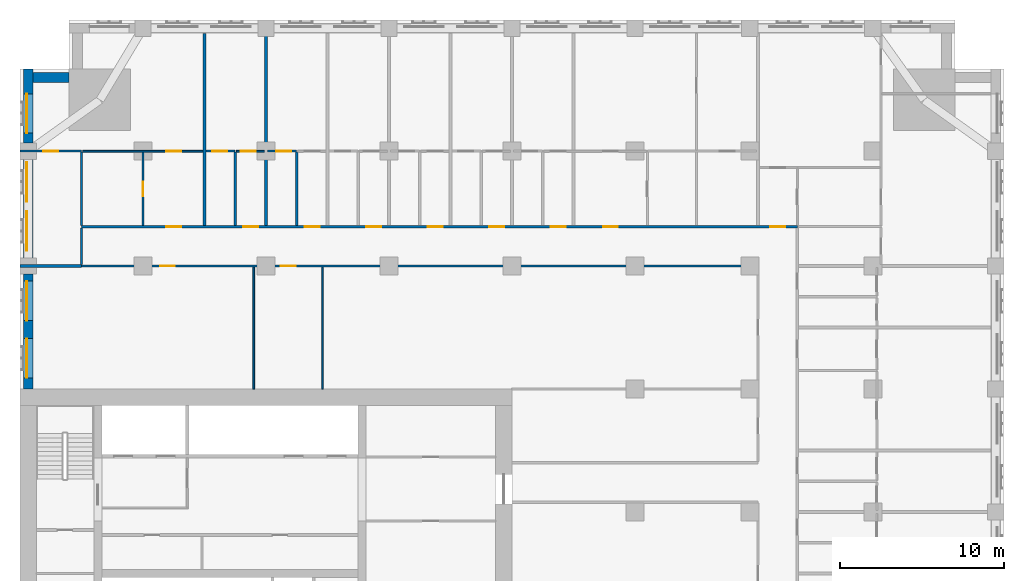
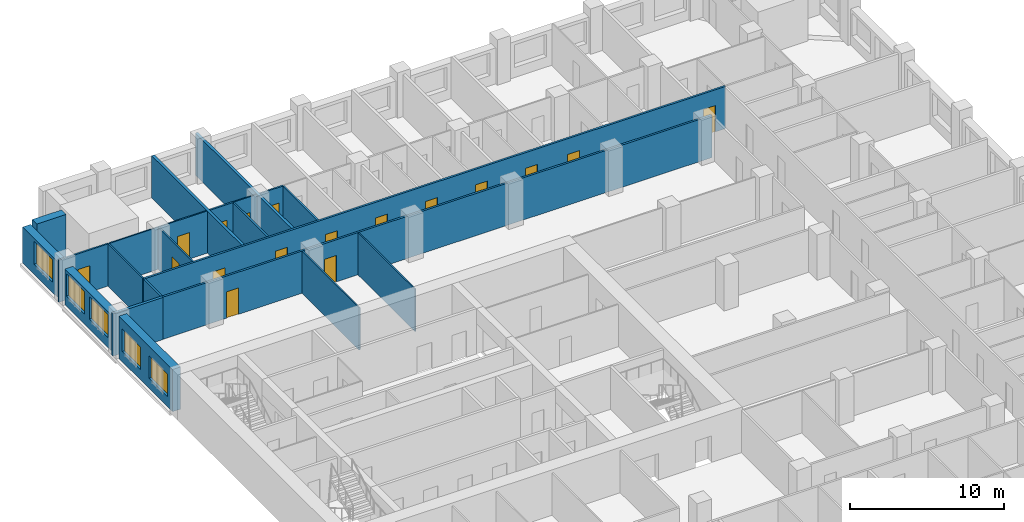
# One storey, part 9 of 15: 21 walls, 17 doors, 5 windows, 22 openings.
"""IFC4 building model written with IfcOpenShell, lengths in metres."""

from ifc_helpers import new_model, si_unit, direction, frame, frame_2d, origin, place, context, subcontext, project, spatial, rectangle, extrude, material, layer, layer_set, type_object, element, fill, save


model = new_model("IFC4")

# Units and contexts
model_context = context("Model", 3, precision=1e-05, world=origin(), true_north=direction((0.0, 1.0)))
body_context = subcontext(model_context, "Body", "Model", "MODEL_VIEW")
ifc_project = project(units=[si_unit("LENGTHUNIT", "METRE"), si_unit("AREAUNIT", "SQUARE_METRE"), si_unit("VOLUMEUNIT", "CUBIC_METRE"), si_unit("PLANEANGLEUNIT", "RADIAN"), si_unit("MASSUNIT", "GRAM", prefix="KILO")], contexts=[model_context])

# Site, building, storey
site_placement = place(None, origin())
site = spatial("IfcSite", under=ifc_project, at=site_placement, CompositionType="ELEMENT")
building_placement = place(site_placement, origin())
building = spatial("IfcBuilding", under=site, at=building_placement, Name="Tamorin Gate", CompositionType="ELEMENT")
storey_placement = place(building_placement, frame((0.0, 0.0, 82.699951171875)))
storey = spatial("IfcBuildingStorey", under=building, at=storey_placement, Name="L19", CompositionType="ELEMENT", Elevation=82.699951171875)

# Wall
ifc_material_1 = material(Name="Precast concrete C40/50", Category="concrete")
ifc_layer_1 = layer(ifc_material_1, 0.60009765625)
ifc_layer_set_1 = layer_set([ifc_layer_1], Name="Precast concrete C40/50")
wall_type_1 = type_object("IfcWallType", Name="Board-marked concrete facade panel 600", PredefinedType="SOLIDWALL", material=ifc_layer_set_1)
wall_1_placement = place(storey_placement, frame((33.0, 101.5, 0.0), z_axis=(0.0, 0.0, 1.0), x_axis=(-1.0, 0.0, 0.0)))
element("IfcWall", 1, at=wall_1_placement, inside=storey, type_object=wall_type_1, Name="Facade panel", PredefinedType="SOLIDWALL", context=body_context, shape_type="SweptSolid", body=[
    extrude(rectangle(XDim=2.199951171875, YDim=0.60009765625, at=frame_2d((1.10009765625, 0.0))), origin(), (0.0, 0.0, 1.0), 3.35009765625),
])

# Wall, opening, window
wall_2_placement = place(storey_placement, frame((30.5, 102.0, 0.0), z_axis=(0.0, 0.0, 1.0), x_axis=(0.0, -1.0, 0.0)))
wall_2 = element("IfcWall", 2, at=wall_2_placement, inside=storey, type_object=wall_type_1, Name="Facade panel", PredefinedType="SOLIDWALL", context=body_context, shape_type="SweptSolid", body=[
    extrude(rectangle(XDim=4.5, YDim=0.60009765625, at=frame_2d((2.25, 0.0))), origin(), (0.0, 0.0, 1.0), 2.85009765625),
])
opening_1_placement = place(wall_2_placement, frame((1.5, 0.0, 0.800048828125)))
opening_1 = element("IfcOpeningElement", 3, at=opening_1_placement, cuts=wall_2, Name="Opening WN1", PredefinedType="OPENING", context=body_context, shape_type="SweptSolid", body=[
    extrude(rectangle(XDim=2.39990234375, YDim=1.800048828125, at=frame_2d((1.199951171875, 0.89990234375))), frame((0.0, 0.31005859375, 0.0), z_axis=(0.0, -1.0, 0.0), x_axis=(1.0, 0.0, 0.0)), (0.0, 0.0, 1.0), 0.6201171875),
])
ifc_material_2 = material(Name="Clear glass in aluminium frame", Category="aluminium")
window_type = type_object("IfcWindowType", Name="Deep-set window 2400x1800", PartitioningType="SINGLE_PANEL", PredefinedType="WINDOW", material=ifc_material_2)
window_1_placement = place(opening_1_placement, origin())
window_1 = element("IfcWindow", 4, at=window_1_placement, inside=storey, type_object=window_type, Name="Deep-set window", OverallHeight=1.800048828125, OverallWidth=2.39990234375, PartitioningType="SINGLE_PANEL", PredefinedType="WINDOW", context=body_context, shape_type="SweptSolid", body=[
    extrude(rectangle(XDim=2.39990234375, YDim=1.800048828125, at=frame_2d((1.199951171875, 0.89990234375))), frame((0.0, -0.070068359375, 0.0), z_axis=(0.0, -1.0, 0.0), x_axis=(1.0, 0.0, 0.0)), (0.0, 0.0, 1.0), 0.06005859375),
])
fill(opening_1, window_1)

# Wall, openings, windows
wall_3_placement = place(storey_placement, frame((30.5, 96.5, 0.0), z_axis=(0.0, 0.0, 1.0), x_axis=(0.0, -1.0, 0.0)))
wall_3 = element("IfcWall", 5, at=wall_3_placement, inside=storey, type_object=wall_type_1, Name="Facade panel", PredefinedType="SOLIDWALL", context=body_context, shape_type="SweptSolid", body=[
    extrude(rectangle(XDim=6.0, YDim=0.60009765625, at=frame_2d((3.0, 0.0))), origin(), (0.0, 0.0, 1.0), 2.85009765625),
])
opening_2_placement = place(wall_3_placement, frame((3.175048828125, 0.0, 0.800048828125)))
opening_2 = element("IfcOpeningElement", 6, at=opening_2_placement, cuts=wall_3, Name="Opening WN1", PredefinedType="OPENING", context=body_context, shape_type="SweptSolid", body=[
    extrude(rectangle(XDim=2.39990234375, YDim=1.800048828125, at=frame_2d((1.199951171875, 0.89990234375))), frame((0.0, 0.31005859375, 0.0), z_axis=(0.0, -1.0, 0.0), x_axis=(1.0, 0.0, 0.0)), (0.0, 0.0, 1.0), 0.6201171875),
])
opening_3_placement = place(wall_3_placement, frame((0.175048828125, 0.0, 0.800048828125)))
opening_3 = element("IfcOpeningElement", 7, at=opening_3_placement, cuts=wall_3, Name="Opening WN1", PredefinedType="OPENING", context=body_context, shape_type="SweptSolid", body=[
    extrude(rectangle(XDim=2.39990234375, YDim=1.800048828125, at=frame_2d((1.199951171875, 0.89990234375))), frame((0.0, 0.31005859375, 0.0), z_axis=(0.0, -1.0, 0.0), x_axis=(1.0, 0.0, 0.0)), (0.0, 0.0, 1.0), 0.6201171875),
])
window_2_placement = place(opening_2_placement, origin())
window_2 = element("IfcWindow", 8, at=window_2_placement, inside=storey, type_object=window_type, Name="Deep-set window", OverallHeight=1.800048828125, OverallWidth=2.39990234375, PartitioningType="SINGLE_PANEL", PredefinedType="WINDOW", context=body_context, shape_type="SweptSolid", body=[
    extrude(rectangle(XDim=2.39990234375, YDim=1.800048828125, at=frame_2d((1.199951171875, 0.89990234375))), frame((0.0, -0.070068359375, 0.0), z_axis=(0.0, -1.0, 0.0), x_axis=(1.0, 0.0, 0.0)), (0.0, 0.0, 1.0), 0.06005859375),
])
fill(opening_2, window_2)
window_3_placement = place(opening_3_placement, origin())
window_3 = element("IfcWindow", 9, at=window_3_placement, inside=storey, type_object=window_type, Name="Deep-set window", OverallHeight=1.800048828125, OverallWidth=2.39990234375, PartitioningType="SINGLE_PANEL", PredefinedType="WINDOW", context=body_context, shape_type="SweptSolid", body=[
    extrude(rectangle(XDim=2.39990234375, YDim=1.800048828125, at=frame_2d((1.199951171875, 0.89990234375))), frame((0.0, -0.070068359375, 0.0), z_axis=(0.0, -1.0, 0.0), x_axis=(1.0, 0.0, 0.0)), (0.0, 0.0, 1.0), 0.06005859375),
])
fill(opening_3, window_3)

wall_4_placement = place(storey_placement, frame((30.5, 89.5, 0.0), z_axis=(0.0, 0.0, 1.0), x_axis=(0.0, -1.0, 0.0)))
wall_4 = element("IfcWall", 10, at=wall_4_placement, inside=storey, type_object=wall_type_1, Name="Facade panel", PredefinedType="SOLIDWALL", context=body_context, shape_type="SweptSolid", body=[
    extrude(rectangle(XDim=7.0, YDim=0.60009765625, at=frame_2d((3.5, 0.0))), origin(), (0.0, 0.0, 1.0), 3.35009765625),
])
opening_4_placement = place(wall_4_placement, frame((3.925048828125, 0.0, 0.800048828125)))
opening_4 = element("IfcOpeningElement", 11, at=opening_4_placement, cuts=wall_4, Name="Opening WN1", PredefinedType="OPENING", context=body_context, shape_type="SweptSolid", body=[
    extrude(rectangle(XDim=2.39990234375, YDim=1.800048828125, at=frame_2d((1.199951171875, 0.89990234375))), frame((0.0, 0.31005859375, 0.0), z_axis=(0.0, -1.0, 0.0), x_axis=(1.0, 0.0, 0.0)), (0.0, 0.0, 1.0), 0.6201171875),
])
opening_5_placement = place(wall_4_placement, frame((0.425048828125, 0.0, 0.800048828125)))
opening_5 = element("IfcOpeningElement", 12, at=opening_5_placement, cuts=wall_4, Name="Opening WN1", PredefinedType="OPENING", context=body_context, shape_type="SweptSolid", body=[
    extrude(rectangle(XDim=2.39990234375, YDim=1.800048828125, at=frame_2d((1.199951171875, 0.89990234375))), frame((0.0, 0.31005859375, 0.0), z_axis=(0.0, -1.0, 0.0), x_axis=(1.0, 0.0, 0.0)), (0.0, 0.0, 1.0), 0.6201171875),
])
window_4_placement = place(opening_4_placement, origin())
window_4 = element("IfcWindow", 13, at=window_4_placement, inside=storey, type_object=window_type, Name="Deep-set window", OverallHeight=1.800048828125, OverallWidth=2.39990234375, PartitioningType="SINGLE_PANEL", PredefinedType="WINDOW", context=body_context, shape_type="SweptSolid", body=[
    extrude(rectangle(XDim=2.39990234375, YDim=1.800048828125, at=frame_2d((1.199951171875, 0.89990234375))), frame((0.0, -0.070068359375, 0.0), z_axis=(0.0, -1.0, 0.0), x_axis=(1.0, 0.0, 0.0)), (0.0, 0.0, 1.0), 0.06005859375),
])
fill(opening_4, window_4)
window_5_placement = place(opening_5_placement, origin())
window_5 = element("IfcWindow", 14, at=window_5_placement, inside=storey, type_object=window_type, Name="Deep-set window", OverallHeight=1.800048828125, OverallWidth=2.39990234375, PartitioningType="SINGLE_PANEL", PredefinedType="WINDOW", context=body_context, shape_type="SweptSolid", body=[
    extrude(rectangle(XDim=2.39990234375, YDim=1.800048828125, at=frame_2d((1.199951171875, 0.89990234375))), frame((0.0, -0.070068359375, 0.0), z_axis=(0.0, -1.0, 0.0), x_axis=(1.0, 0.0, 0.0)), (0.0, 0.0, 1.0), 0.06005859375),
])
fill(opening_5, window_5)

# Wall, openings, doors
ifc_material_3 = material(Name="Gypsum board partition")
ifc_layer_2 = layer(ifc_material_3, 0.14990234375)
ifc_layer_set_2 = layer_set([ifc_layer_2], Name="Corridor wall 150")
wall_type_2 = type_object("IfcWallType", Name="Corridor wall 150", PredefinedType="PARTITIONING", material=ifc_layer_set_2)
wall_5_placement = place(storey_placement, frame((33.75, 90.0, 0.0), z_axis=(0.0, 0.0, 1.0), x_axis=(1.0, 0.0, 0.0)))
wall_5 = element("IfcWall", 15, at=wall_5_placement, inside=storey, type_object=wall_type_2, Name="Corridor wall 150", PredefinedType="PARTITIONING", context=body_context, shape_type="SweptSolid", body=[
    extrude(rectangle(XDim=41.25, YDim=0.14990234375, at=frame_2d((20.625, 0.0))), origin(), (0.0, 0.0, 1.0), 3.35009765625),
])
opening_6_placement = place(wall_5_placement, frame((4.800048828125, 0.0, 0.0)))
opening_6 = element("IfcOpeningElement", 16, at=opening_6_placement, cuts=wall_5, Name="Opening DH6092", PredefinedType="OPENING", context=body_context, shape_type="SweptSolid", body=[
    extrude(rectangle(XDim=0.89990234375, YDim=2.10009765625, at=frame_2d((0.449951171875, 1.050048828125))), frame((0.0, 0.0849609375, 0.0), z_axis=(0.0, -1.0, 0.0), x_axis=(1.0, 0.0, 0.0)), (0.0, 0.0, 1.0), 0.169921875),
])
opening_7_placement = place(wall_5_placement, frame((12.14990234375, 0.0, 0.0)))
opening_7 = element("IfcOpeningElement", 17, at=opening_7_placement, cuts=wall_5, Name="Opening DH6093", PredefinedType="OPENING", context=body_context, shape_type="SweptSolid", body=[
    extrude(rectangle(XDim=0.89990234375, YDim=2.10009765625, at=frame_2d((0.449951171875, 1.050048828125))), frame((0.0, 0.0849609375, 0.0), z_axis=(0.0, -1.0, 0.0), x_axis=(1.0, 0.0, 0.0)), (0.0, 0.0, 1.0), 0.169921875),
])
ifc_material_4 = material(Name="Timber door leaf", Category="wood")
door_type_1 = type_object("IfcDoorType", Name="Door 900 x 2100 FD30S", OperationType="NOTDEFINED", PredefinedType="DOOR", material=ifc_material_4)
door_1_placement = place(opening_6_placement, origin())
door_1 = element("IfcDoor", 18, at=door_1_placement, inside=storey, type_object=door_type_1, Name="Door DH6092", OperationType="SINGLE_SWING_RIGHT", OverallHeight=2.10009765625, OverallWidth=0.89990234375, PredefinedType="DOOR", context=body_context, shape_type="SweptSolid", body=[
    extrude(rectangle(XDim=0.89990234375, YDim=2.10009765625, at=frame_2d((0.449951171875, 1.050048828125))), frame((0.0, 0.02490234375, 0.0), z_axis=(0.0, -1.0, 0.0), x_axis=(1.0, 0.0, 0.0)), (0.0, 0.0, 1.0), 0.050048828125),
])
fill(opening_6, door_1)
door_2_placement = place(opening_7_placement, origin())
door_2 = element("IfcDoor", 19, at=door_2_placement, inside=storey, type_object=door_type_1, Name="Door DH6093", OperationType="SINGLE_SWING_LEFT", OverallHeight=2.10009765625, OverallWidth=0.89990234375, PredefinedType="DOOR", context=body_context, shape_type="SweptSolid", body=[
    extrude(rectangle(XDim=0.89990234375, YDim=2.10009765625, at=frame_2d((0.449951171875, 1.050048828125))), frame((0.0, 0.02490234375, 0.0), z_axis=(0.0, -1.0, 0.0), x_axis=(1.0, 0.0, 0.0)), (0.0, 0.0, 1.0), 0.050048828125),
])
fill(opening_7, door_2)

wall_6_placement = place(storey_placement, frame((33.75, 92.39990234375, 0.0), z_axis=(0.0, 0.0, 1.0), x_axis=(1.0, 0.0, 0.0)))
wall_6 = element("IfcWall", 20, at=wall_6_placement, inside=storey, type_object=wall_type_2, Name="Corridor wall 150", PredefinedType="PARTITIONING", context=body_context, shape_type="SweptSolid", body=[
    extrude(rectangle(XDim=43.64990234375, YDim=0.14990234375, at=frame_2d((21.824951171875, 0.0))), origin(), (0.0, 0.0, 1.0), 3.35009765625),
])
opening_8_placement = place(wall_6_placement, frame((5.175048828125, 0.0, 0.0)))
opening_8 = element("IfcOpeningElement", 21, at=opening_8_placement, cuts=wall_6, Name="Opening DH6026", PredefinedType="OPENING", context=body_context, shape_type="SweptSolid", body=[
    extrude(rectangle(XDim=0.89990234375, YDim=2.10009765625, at=frame_2d((0.449951171875, 1.050048828125))), frame((0.0, 0.0849609375, 0.0), z_axis=(0.0, -1.0, 0.0), x_axis=(1.0, 0.0, 0.0)), (0.0, 0.0, 1.0), 0.169921875),
])
opening_9_placement = place(wall_6_placement, frame((9.862548828125, 0.0, 0.0)))
opening_9 = element("IfcOpeningElement", 22, at=opening_9_placement, cuts=wall_6, Name="Opening DH6029", PredefinedType="OPENING", context=body_context, shape_type="SweptSolid", body=[
    extrude(rectangle(XDim=0.89990234375, YDim=2.10009765625, at=frame_2d((0.449951171875, 1.050048828125))), frame((0.0, 0.0849609375, 0.0), z_axis=(0.0, -1.0, 0.0), x_axis=(1.0, 0.0, 0.0)), (0.0, 0.0, 1.0), 0.169921875),
])
opening_10_placement = place(wall_6_placement, frame((13.612548828125, 0.0, 0.0)))
opening_10 = element("IfcOpeningElement", 23, at=opening_10_placement, cuts=wall_6, Name="Opening DH6032", PredefinedType="OPENING", context=body_context, shape_type="SweptSolid", body=[
    extrude(rectangle(XDim=0.89990234375, YDim=2.10009765625, at=frame_2d((0.449951171875, 1.050048828125))), frame((0.0, 0.0849609375, 0.0), z_axis=(0.0, -1.0, 0.0), x_axis=(1.0, 0.0, 0.0)), (0.0, 0.0, 1.0), 0.169921875),
])
opening_11_placement = place(wall_6_placement, frame((17.362548828125, 0.0, 0.0)))
opening_11 = element("IfcOpeningElement", 24, at=opening_11_placement, cuts=wall_6, Name="Opening DH6035", PredefinedType="OPENING", context=body_context, shape_type="SweptSolid", body=[
    extrude(rectangle(XDim=0.89990234375, YDim=2.10009765625, at=frame_2d((0.449951171875, 1.050048828125))), frame((0.0, 0.0849609375, 0.0), z_axis=(0.0, -1.0, 0.0), x_axis=(1.0, 0.0, 0.0)), (0.0, 0.0, 1.0), 0.169921875),
])
opening_12_placement = place(wall_6_placement, frame((21.112548828125, 0.0, 0.0)))
opening_12 = element("IfcOpeningElement", 25, at=opening_12_placement, cuts=wall_6, Name="Opening DH6038", PredefinedType="OPENING", context=body_context, shape_type="SweptSolid", body=[
    extrude(rectangle(XDim=0.89990234375, YDim=2.10009765625, at=frame_2d((0.449951171875, 1.050048828125))), frame((0.0, 0.0849609375, 0.0), z_axis=(0.0, -1.0, 0.0), x_axis=(1.0, 0.0, 0.0)), (0.0, 0.0, 1.0), 0.169921875),
])
opening_13_placement = place(wall_6_placement, frame((24.862548828125, 0.0, 0.0)))
opening_13 = element("IfcOpeningElement", 26, at=opening_13_placement, cuts=wall_6, Name="Opening DH6041", PredefinedType="OPENING", context=body_context, shape_type="SweptSolid", body=[
    extrude(rectangle(XDim=0.89990234375, YDim=2.10009765625, at=frame_2d((0.449951171875, 1.050048828125))), frame((0.0, 0.0849609375, 0.0), z_axis=(0.0, -1.0, 0.0), x_axis=(1.0, 0.0, 0.0)), (0.0, 0.0, 1.0), 0.169921875),
])
opening_14_placement = place(wall_6_placement, frame((28.612548828125, 0.0, 0.0)))
opening_14 = element("IfcOpeningElement", 27, at=opening_14_placement, cuts=wall_6, Name="Opening DH6044", PredefinedType="OPENING", context=body_context, shape_type="SweptSolid", body=[
    extrude(rectangle(XDim=0.89990234375, YDim=2.10009765625, at=frame_2d((0.449951171875, 1.050048828125))), frame((0.0, 0.0849609375, 0.0), z_axis=(0.0, -1.0, 0.0), x_axis=(1.0, 0.0, 0.0)), (0.0, 0.0, 1.0), 0.169921875),
])
opening_15_placement = place(wall_6_placement, frame((31.800048828125, 0.0, 0.0)))
opening_15 = element("IfcOpeningElement", 28, at=opening_15_placement, cuts=wall_6, Name="Opening DH6046", PredefinedType="OPENING", context=body_context, shape_type="SweptSolid", body=[
    extrude(rectangle(XDim=0.89990234375, YDim=2.10009765625, at=frame_2d((0.449951171875, 1.050048828125))), frame((0.0, 0.0849609375, 0.0), z_axis=(0.0, -1.0, 0.0), x_axis=(1.0, 0.0, 0.0)), (0.0, 0.0, 1.0), 0.169921875),
])
opening_16_placement = place(wall_6_placement, frame((42.0, 0.0, 0.0)))
opening_16 = element("IfcOpeningElement", 29, at=opening_16_placement, cuts=wall_6, Name="Opening DH6080", PredefinedType="OPENING", context=body_context, shape_type="SweptSolid", body=[
    extrude(rectangle(XDim=0.89990234375, YDim=2.10009765625, at=frame_2d((0.449951171875, 1.050048828125))), frame((0.0, 0.0849609375, 0.0), z_axis=(0.0, -1.0, 0.0), x_axis=(1.0, 0.0, 0.0)), (0.0, 0.0, 1.0), 0.169921875),
])
door_3_placement = place(opening_8_placement, origin())
door_3 = element("IfcDoor", 30, at=door_3_placement, inside=storey, type_object=door_type_1, Name="Door DH6026", OperationType="SINGLE_SWING_LEFT", OverallHeight=2.10009765625, OverallWidth=0.89990234375, PredefinedType="DOOR", context=body_context, shape_type="SweptSolid", body=[
    extrude(rectangle(XDim=0.89990234375, YDim=2.10009765625, at=frame_2d((0.449951171875, 1.050048828125))), frame((0.0, 0.02490234375, 0.0), z_axis=(0.0, -1.0, 0.0), x_axis=(1.0, 0.0, 0.0)), (0.0, 0.0, 1.0), 0.050048828125),
])
fill(opening_8, door_3)
door_4_placement = place(opening_9_placement, origin())
door_4 = element("IfcDoor", 31, at=door_4_placement, inside=storey, type_object=door_type_1, Name="Door DH6029", OperationType="SINGLE_SWING_LEFT", OverallHeight=2.10009765625, OverallWidth=0.89990234375, PredefinedType="DOOR", context=body_context, shape_type="SweptSolid", body=[
    extrude(rectangle(XDim=0.89990234375, YDim=2.10009765625, at=frame_2d((0.449951171875, 1.050048828125))), frame((0.0, 0.02490234375, 0.0), z_axis=(0.0, -1.0, 0.0), x_axis=(1.0, 0.0, 0.0)), (0.0, 0.0, 1.0), 0.050048828125),
])
fill(opening_9, door_4)
door_5_placement = place(opening_10_placement, origin())
door_5 = element("IfcDoor", 32, at=door_5_placement, inside=storey, type_object=door_type_1, Name="Door DH6032", OperationType="SINGLE_SWING_LEFT", OverallHeight=2.10009765625, OverallWidth=0.89990234375, PredefinedType="DOOR", context=body_context, shape_type="SweptSolid", body=[
    extrude(rectangle(XDim=0.89990234375, YDim=2.10009765625, at=frame_2d((0.449951171875, 1.050048828125))), frame((0.0, 0.02490234375, 0.0), z_axis=(0.0, -1.0, 0.0), x_axis=(1.0, 0.0, 0.0)), (0.0, 0.0, 1.0), 0.050048828125),
])
fill(opening_10, door_5)
door_6_placement = place(opening_11_placement, origin())
door_6 = element("IfcDoor", 33, at=door_6_placement, inside=storey, type_object=door_type_1, Name="Door DH6035", OperationType="SINGLE_SWING_LEFT", OverallHeight=2.10009765625, OverallWidth=0.89990234375, PredefinedType="DOOR", context=body_context, shape_type="SweptSolid", body=[
    extrude(rectangle(XDim=0.89990234375, YDim=2.10009765625, at=frame_2d((0.449951171875, 1.050048828125))), frame((0.0, 0.02490234375, 0.0), z_axis=(0.0, -1.0, 0.0), x_axis=(1.0, 0.0, 0.0)), (0.0, 0.0, 1.0), 0.050048828125),
])
fill(opening_11, door_6)
door_7_placement = place(opening_12_placement, origin())
door_7 = element("IfcDoor", 34, at=door_7_placement, inside=storey, type_object=door_type_1, Name="Door DH6038", OperationType="SINGLE_SWING_LEFT", OverallHeight=2.10009765625, OverallWidth=0.89990234375, PredefinedType="DOOR", context=body_context, shape_type="SweptSolid", body=[
    extrude(rectangle(XDim=0.89990234375, YDim=2.10009765625, at=frame_2d((0.449951171875, 1.050048828125))), frame((0.0, 0.02490234375, 0.0), z_axis=(0.0, -1.0, 0.0), x_axis=(1.0, 0.0, 0.0)), (0.0, 0.0, 1.0), 0.050048828125),
])
fill(opening_12, door_7)
door_8_placement = place(opening_13_placement, origin())
door_8 = element("IfcDoor", 35, at=door_8_placement, inside=storey, type_object=door_type_1, Name="Door DH6041", OperationType="SINGLE_SWING_LEFT", OverallHeight=2.10009765625, OverallWidth=0.89990234375, PredefinedType="DOOR", context=body_context, shape_type="SweptSolid", body=[
    extrude(rectangle(XDim=0.89990234375, YDim=2.10009765625, at=frame_2d((0.449951171875, 1.050048828125))), frame((0.0, 0.02490234375, 0.0), z_axis=(0.0, -1.0, 0.0), x_axis=(1.0, 0.0, 0.0)), (0.0, 0.0, 1.0), 0.050048828125),
])
fill(opening_13, door_8)
door_9_placement = place(opening_14_placement, origin())
door_9 = element("IfcDoor", 36, at=door_9_placement, inside=storey, type_object=door_type_1, Name="Door DH6044", OperationType="SINGLE_SWING_LEFT", OverallHeight=2.10009765625, OverallWidth=0.89990234375, PredefinedType="DOOR", context=body_context, shape_type="SweptSolid", body=[
    extrude(rectangle(XDim=0.89990234375, YDim=2.10009765625, at=frame_2d((0.449951171875, 1.050048828125))), frame((0.0, 0.02490234375, 0.0), z_axis=(0.0, -1.0, 0.0), x_axis=(1.0, 0.0, 0.0)), (0.0, 0.0, 1.0), 0.050048828125),
])
fill(opening_14, door_9)
door_10_placement = place(opening_15_placement, origin())
door_10 = element("IfcDoor", 37, at=door_10_placement, inside=storey, type_object=door_type_1, Name="Door DH6046", OperationType="SINGLE_SWING_LEFT", OverallHeight=2.10009765625, OverallWidth=0.89990234375, PredefinedType="DOOR", context=body_context, shape_type="SweptSolid", body=[
    extrude(rectangle(XDim=0.89990234375, YDim=2.10009765625, at=frame_2d((0.449951171875, 1.050048828125))), frame((0.0, 0.02490234375, 0.0), z_axis=(0.0, -1.0, 0.0), x_axis=(1.0, 0.0, 0.0)), (0.0, 0.0, 1.0), 0.050048828125),
])
fill(opening_15, door_10)
door_11_placement = place(opening_16_placement, origin())
door_11 = element("IfcDoor", 38, at=door_11_placement, inside=storey, type_object=door_type_1, Name="Door DH6080", OperationType="SINGLE_SWING_RIGHT", OverallHeight=2.10009765625, OverallWidth=0.89990234375, PredefinedType="DOOR", context=body_context, shape_type="SweptSolid", body=[
    extrude(rectangle(XDim=0.89990234375, YDim=2.10009765625, at=frame_2d((0.449951171875, 1.050048828125))), frame((0.0, 0.02490234375, 0.0), z_axis=(0.0, -1.0, 0.0), x_axis=(1.0, 0.0, 0.0)), (0.0, 0.0, 1.0), 0.050048828125),
])
fill(opening_16, door_11)

# Walls
wall_7_placement = place(storey_placement, frame((33.75, 90.10009765625, 0.0), z_axis=(0.0, 0.0, 1.0), x_axis=(0.0, 1.0, 0.0)))
element("IfcWall", 39, at=wall_7_placement, inside=storey, type_object=wall_type_2, Name="Corridor wall 150", PredefinedType="PARTITIONING", context=body_context, shape_type="SweptSolid", body=[
    extrude(rectangle(XDim=2.224853515625, YDim=0.14990234375, at=frame_2d((1.1123046875, 0.0))), origin(), (0.0, 0.0, 1.0), 3.35009765625),
])
ifc_layer_3 = layer(ifc_material_3, 0.199951171875)
ifc_layer_set_3 = layer_set([ifc_layer_3], Name="Demising wall 200")
wall_type_3 = type_object("IfcWallType", Name="Demising wall 200", PredefinedType="PARTITIONING", material=ifc_layer_set_3)
wall_8_placement = place(storey_placement, frame((30.0, 90.0, 0.0), z_axis=(0.0, 0.0, 1.0), x_axis=(1.0, 0.0, 0.0)))
element("IfcWall", 40, at=wall_8_placement, inside=storey, type_object=wall_type_3, Name="Demising wall 200", PredefinedType="PARTITIONING", context=body_context, shape_type="SweptSolid", body=[
    extrude(rectangle(XDim=3.75, YDim=0.199951171875, at=frame_2d((1.875, 0.0))), origin(), (0.0, 0.0, 1.0), 3.35009765625),
])
wall_9_placement = place(storey_placement, frame((41.25, 92.47509765625, 0.0), z_axis=(0.0, 0.0, 1.0), x_axis=(0.0, 1.0, 0.0)))
element("IfcWall", 41, at=wall_9_placement, inside=storey, type_object=wall_type_3, Name="Demising wall 200", PredefinedType="PARTITIONING", context=body_context, shape_type="SweptSolid", body=[
    extrude(rectangle(XDim=11.71484375, YDim=0.199951171875, at=frame_2d((5.857421875, 0.0))), origin(), (0.0, 0.0, 1.0), 3.35009765625),
])
wall_10_placement = place(storey_placement, frame((45.0, 92.47509765625, 0.0), z_axis=(0.0, 0.0, 1.0), x_axis=(0.0, 1.0, 0.0)))
element("IfcWall", 42, at=wall_10_placement, inside=storey, type_object=wall_type_3, Name="Demising wall 200", PredefinedType="PARTITIONING", context=body_context, shape_type="SweptSolid", body=[
    extrude(rectangle(XDim=12.52490234375, YDim=0.199951171875, at=frame_2d((6.262451171875, 0.0))), origin(), (0.0, 0.0, 1.0), 3.35009765625),
])

# Wall, opening, door
ifc_layer_4 = layer(ifc_material_3, 0.10009765625)
ifc_layer_set_4 = layer_set([ifc_layer_4], Name="Room partition 100")
wall_type_4 = type_object("IfcWallType", Name="Room partition 100", PredefinedType="PARTITIONING", material=ifc_layer_set_4)
wall_11_placement = place(storey_placement, frame((33.8125, 97.0, 0.0), z_axis=(0.0, 0.0, 1.0), x_axis=(1.0, 0.0, 0.0)))
wall_11 = element("IfcWall", 43, at=wall_11_placement, inside=storey, type_object=wall_type_4, Name="Room partition 100", PredefinedType="PARTITIONING", context=body_context, shape_type="SweptSolid", body=[
    extrude(rectangle(XDim=7.33740234375, YDim=0.10009765625, at=frame_2d((3.668701171875, 0.0))), origin(), (0.0, 0.0, 1.0), 3.35009765625),
])
opening_17_placement = place(wall_11_placement, frame((5.112548828125, 0.0, 0.0)))
opening_17 = element("IfcOpeningElement", 44, at=opening_17_placement, cuts=wall_11, Name="Opening DH6027", PredefinedType="OPENING", context=body_context, shape_type="SweptSolid", body=[
    extrude(rectangle(XDim=0.89990234375, YDim=2.10009765625, at=frame_2d((0.449951171875, 1.050048828125))), frame((0.0, 0.06005859375, 0.0), z_axis=(0.0, -1.0, 0.0), x_axis=(1.0, 0.0, 0.0)), (0.0, 0.0, 1.0), 0.1201171875),
])
door_type_2 = type_object("IfcDoorType", Name="Door 900 x 2100", OperationType="NOTDEFINED", PredefinedType="DOOR", material=ifc_material_4)
door_12_placement = place(opening_17_placement, origin())
door_12 = element("IfcDoor", 45, at=door_12_placement, inside=storey, type_object=door_type_2, Name="Door DH6027", OperationType="SINGLE_SWING_RIGHT", OverallHeight=2.10009765625, OverallWidth=0.89990234375, PredefinedType="DOOR", context=body_context, shape_type="SweptSolid", body=[
    extrude(rectangle(XDim=0.89990234375, YDim=2.10009765625, at=frame_2d((0.449951171875, 1.050048828125))), frame((0.0, 0.02490234375, 0.0), z_axis=(0.0, -1.0, 0.0), x_axis=(1.0, 0.0, 0.0)), (0.0, 0.0, 1.0), 0.050048828125),
])
fill(opening_17, door_12)

wall_12_placement = place(storey_placement, frame((43.1875, 97.0, 0.0), z_axis=(0.0, 0.0, 1.0), x_axis=(1.0, 0.0, 0.0)))
wall_12 = element("IfcWall", 46, at=wall_12_placement, inside=storey, type_object=wall_type_4, Name="Room partition 100", PredefinedType="PARTITIONING", context=body_context, shape_type="SweptSolid", body=[
    extrude(rectangle(XDim=1.71240234375, YDim=0.10009765625, at=frame_2d((0.856201171875, 0.0))), origin(), (0.0, 0.0, 1.0), 3.35009765625),
])
opening_18_placement = place(wall_12_placement, frame((0.27490234375, 0.0, 0.0)))
opening_18 = element("IfcOpeningElement", 47, at=opening_18_placement, cuts=wall_12, Name="Opening DH6030", PredefinedType="OPENING", context=body_context, shape_type="SweptSolid", body=[
    extrude(rectangle(XDim=0.89990234375, YDim=2.10009765625, at=frame_2d((0.449951171875, 1.050048828125))), frame((0.0, 0.06005859375, 0.0), z_axis=(0.0, -1.0, 0.0), x_axis=(1.0, 0.0, 0.0)), (0.0, 0.0, 1.0), 0.1201171875),
])
door_13_placement = place(opening_18_placement, origin())
door_13 = element("IfcDoor", 48, at=door_13_placement, inside=storey, type_object=door_type_2, Name="Door DH6030", OperationType="SINGLE_SWING_RIGHT", OverallHeight=2.10009765625, OverallWidth=0.89990234375, PredefinedType="DOOR", context=body_context, shape_type="SweptSolid", body=[
    extrude(rectangle(XDim=0.89990234375, YDim=2.10009765625, at=frame_2d((0.449951171875, 1.050048828125))), frame((0.0, 0.02490234375, 0.0), z_axis=(0.0, -1.0, 0.0), x_axis=(1.0, 0.0, 0.0)), (0.0, 0.0, 1.0), 0.050048828125),
])
fill(opening_18, door_13)

wall_13_placement = place(storey_placement, frame((37.5, 92.47509765625, 0.0), z_axis=(0.0, 0.0, 1.0), x_axis=(0.0, 1.0, 0.0)))
wall_13 = element("IfcWall", 49, at=wall_13_placement, inside=storey, type_object=wall_type_4, Name="Room partition 100", PredefinedType="PARTITIONING", context=body_context, shape_type="SweptSolid", body=[
    extrude(rectangle(XDim=4.474853515625, YDim=0.10009765625, at=frame_2d((2.2373046875, 0.0))), origin(), (0.0, 0.0, 1.0), 3.35009765625),
])
opening_19_placement = place(wall_13_placement, frame((1.77490234375, 0.0, 0.0)))
opening_19 = element("IfcOpeningElement", 50, at=opening_19_placement, cuts=wall_13, Name="Opening DH6025", PredefinedType="OPENING", context=body_context, shape_type="SweptSolid", body=[
    extrude(rectangle(XDim=0.89990234375, YDim=2.10009765625, at=frame_2d((0.449951171875, 1.050048828125))), frame((0.0, 0.06005859375, 0.0), z_axis=(0.0, -1.0, 0.0), x_axis=(1.0, 0.0, 0.0)), (0.0, 0.0, 1.0), 0.1201171875),
])
door_14_placement = place(opening_19_placement, origin())
door_14 = element("IfcDoor", 51, at=door_14_placement, inside=storey, type_object=door_type_2, Name="Door DH6025", OperationType="SINGLE_SWING_RIGHT", OverallHeight=2.10009765625, OverallWidth=0.89990234375, PredefinedType="DOOR", context=body_context, shape_type="SweptSolid", body=[
    extrude(rectangle(XDim=0.89990234375, YDim=2.10009765625, at=frame_2d((0.449951171875, 1.050048828125))), frame((0.0, 0.02490234375, 0.0), z_axis=(0.0, -1.0, 0.0), x_axis=(1.0, 0.0, 0.0)), (0.0, 0.0, 1.0), 0.050048828125),
])
fill(opening_19, door_14)

# Walls
for number, where, z_axis, x_axis, name in (
    (52, (44.25, 82.5, 0.0), (0.0, 0.0, 1.0), (0.0, 1.0, 0.0), "Room partition 100"),
    (53, (48.449951171875, 82.5, 0.0), (0.0, 0.0, 1.0), (0.0, 1.0, 0.0), "Room partition 100"),
):
    element("IfcWall", number, at=place(storey_placement, frame(where, z_axis=z_axis, x_axis=x_axis)), inside=storey, type_object=wall_type_4, Name=name, PredefinedType="PARTITIONING", context=body_context, shape_type="SweptSolid", body=[
        extrude(rectangle(XDim=7.425048828125, YDim=0.10009765625, at=frame_2d((3.71240234375, 0.0))), origin(), (0.0, 0.0, 1.0), 3.35009765625),
    ])

# Wall, opening, door
ifc_layer_5 = layer(ifc_material_3, 0.125)
ifc_layer_set_5 = layer_set([ifc_layer_5], Name="Wet wall 125")
wall_type_5 = type_object("IfcWallType", Name="Wet wall 125", PredefinedType="PARTITIONING", material=ifc_layer_set_5)
wall_14_placement = place(storey_placement, frame((30.0, 97.0, 0.0), z_axis=(0.0, 0.0, 1.0), x_axis=(1.0, 0.0, 0.0)))
wall_14 = element("IfcWall", 54, at=wall_14_placement, inside=storey, type_object=wall_type_5, Name="Wet wall 125", PredefinedType="PARTITIONING", context=body_context, shape_type="SweptSolid", body=[
    extrude(rectangle(XDim=3.75, YDim=0.125, at=frame_2d((1.875, 0.0))), origin(), (0.0, 0.0, 1.0), 3.35009765625),
])
opening_20_placement = place(wall_14_placement, frame((1.425048828125, 0.0, 0.0)))
opening_20 = element("IfcOpeningElement", 55, at=opening_20_placement, cuts=wall_14, Name="Opening DH6024", PredefinedType="OPENING", context=body_context, shape_type="SweptSolid", body=[
    extrude(rectangle(XDim=0.89990234375, YDim=2.10009765625, at=frame_2d((0.449951171875, 1.050048828125))), frame((0.0, 0.072509765625, 0.0), z_axis=(0.0, -1.0, 0.0), x_axis=(1.0, 0.0, 0.0)), (0.0, 0.0, 1.0), 0.14501953125),
])
door_15_placement = place(opening_20_placement, origin())
door_15 = element("IfcDoor", 56, at=door_15_placement, inside=storey, type_object=door_type_2, Name="Door DH6024", OperationType="SINGLE_SWING_RIGHT", OverallHeight=2.10009765625, OverallWidth=0.89990234375, PredefinedType="DOOR", context=body_context, shape_type="SweptSolid", body=[
    extrude(rectangle(XDim=0.89990234375, YDim=2.10009765625, at=frame_2d((0.449951171875, 1.050048828125))), frame((0.0, 0.02490234375, 0.0), z_axis=(0.0, -1.0, 0.0), x_axis=(1.0, 0.0, 0.0)), (0.0, 0.0, 1.0), 0.050048828125),
])
fill(opening_20, door_15)

wall_15_placement = place(storey_placement, frame((41.35009765625, 97.0, 0.0), z_axis=(0.0, 0.0, 1.0), x_axis=(1.0, 0.0, 0.0)))
wall_15 = element("IfcWall", 57, at=wall_15_placement, inside=storey, type_object=wall_type_5, Name="Wet wall 125", PredefinedType="PARTITIONING", context=body_context, shape_type="SweptSolid", body=[
    extrude(rectangle(XDim=1.77490234375, YDim=0.125, at=frame_2d((0.887451171875, 0.0))), origin(), (0.0, 0.0, 1.0), 3.35009765625),
])
opening_21_placement = place(wall_15_placement, frame((0.387451171875, 0.0, 0.0)))
opening_21 = element("IfcOpeningElement", 58, at=opening_21_placement, cuts=wall_15, Name="Opening DH6028", PredefinedType="OPENING", context=body_context, shape_type="SweptSolid", body=[
    extrude(rectangle(XDim=0.89990234375, YDim=2.10009765625, at=frame_2d((0.449951171875, 1.050048828125))), frame((0.0, 0.072509765625, 0.0), z_axis=(0.0, -1.0, 0.0), x_axis=(1.0, 0.0, 0.0)), (0.0, 0.0, 1.0), 0.14501953125),
])
door_16_placement = place(opening_21_placement, origin())
door_16 = element("IfcDoor", 59, at=door_16_placement, inside=storey, type_object=door_type_2, Name="Door DH6028", OperationType="SINGLE_SWING_RIGHT", OverallHeight=2.10009765625, OverallWidth=0.89990234375, PredefinedType="DOOR", context=body_context, shape_type="SweptSolid", body=[
    extrude(rectangle(XDim=0.89990234375, YDim=2.10009765625, at=frame_2d((0.449951171875, 1.050048828125))), frame((0.0, 0.02490234375, 0.0), z_axis=(0.0, -1.0, 0.0), x_axis=(1.0, 0.0, 0.0)), (0.0, 0.0, 1.0), 0.050048828125),
])
fill(opening_21, door_16)

wall_16_placement = place(storey_placement, frame((45.10009765625, 97.0, 0.0), z_axis=(0.0, 0.0, 1.0), x_axis=(1.0, 0.0, 0.0)))
wall_16 = element("IfcWall", 60, at=wall_16_placement, inside=storey, type_object=wall_type_5, Name="Wet wall 125", PredefinedType="PARTITIONING", context=body_context, shape_type="SweptSolid", body=[
    extrude(rectangle(XDim=1.77490234375, YDim=0.125, at=frame_2d((0.887451171875, 0.0))), origin(), (0.0, 0.0, 1.0), 3.35009765625),
])
opening_22_placement = place(wall_16_placement, frame((0.53759765625, 0.0, 0.0)))
opening_22 = element("IfcOpeningElement", 61, at=opening_22_placement, cuts=wall_16, Name="Opening DH6031", PredefinedType="OPENING", context=body_context, shape_type="SweptSolid", body=[
    extrude(rectangle(XDim=0.89990234375, YDim=2.10009765625, at=frame_2d((0.449951171875, 1.050048828125))), frame((0.0, 0.072509765625, 0.0), z_axis=(0.0, -1.0, 0.0), x_axis=(1.0, 0.0, 0.0)), (0.0, 0.0, 1.0), 0.14501953125),
])
door_17_placement = place(opening_22_placement, origin())
door_17 = element("IfcDoor", 62, at=door_17_placement, inside=storey, type_object=door_type_2, Name="Door DH6031", OperationType="SINGLE_SWING_LEFT", OverallHeight=2.10009765625, OverallWidth=0.89990234375, PredefinedType="DOOR", context=body_context, shape_type="SweptSolid", body=[
    extrude(rectangle(XDim=0.89990234375, YDim=2.10009765625, at=frame_2d((0.449951171875, 1.050048828125))), frame((0.0, 0.02490234375, 0.0), z_axis=(0.0, -1.0, 0.0), x_axis=(1.0, 0.0, 0.0)), (0.0, 0.0, 1.0), 0.050048828125),
])
fill(opening_22, door_17)

# Walls
for number, where, z_axis, x_axis, name in (
    (63, (33.75, 92.47509765625, 0.0), (0.0, 0.0, 1.0), (0.0, 1.0, 0.0), "Wet wall 125"),
    (64, (43.125, 92.47509765625, 0.0), (0.0, 0.0, 1.0), (0.0, 1.0, 0.0), "Wet wall 125"),
    (65, (46.875, 92.47509765625, 0.0), (0.0, 0.0, 1.0), (0.0, 1.0, 0.0), "Wet wall 125"),
):
    element("IfcWall", number, at=place(storey_placement, frame(where, z_axis=z_axis, x_axis=x_axis)), inside=storey, type_object=wall_type_5, Name=name, PredefinedType="PARTITIONING", context=body_context, shape_type="SweptSolid", body=[
        extrude(rectangle(XDim=4.46240234375, YDim=0.125, at=frame_2d((2.231201171875, 0.0))), origin(), (0.0, 0.0, 1.0), 3.35009765625),
    ])

save(model, "model.ifc")
